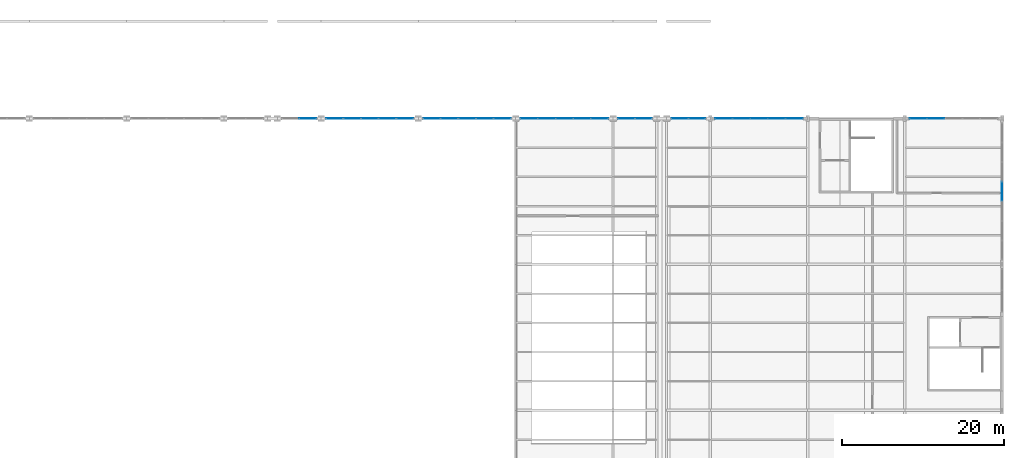
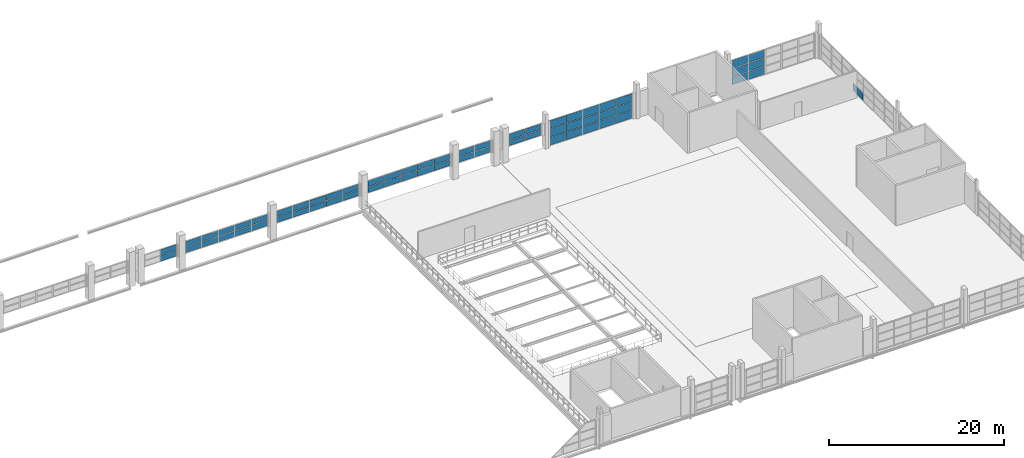
# One storey, part 75 of 86: 62 plates, 9 elements without a shape of their own.
"""IFC4 building model written with IfcOpenShell, lengths in metres."""

from ifc_helpers import new_model, si_unit, direction, frame, origin, origin_2d, place, context, subcontext, project, spatial, rectangle, extrude, material, layer, layer_set, type_object, element, aggregate, save


model = new_model("IFC4")

# Units and contexts
model_context = context("Model", 3, precision=1e-05, world=origin(), true_north=direction((0.0, 1.0)))
body_context = subcontext(model_context, "Body", "Model", "MODEL_VIEW")
ifc_project = project(units=[si_unit("LENGTHUNIT", "METRE"), si_unit("AREAUNIT", "SQUARE_METRE"), si_unit("VOLUMEUNIT", "CUBIC_METRE"), si_unit("PLANEANGLEUNIT", "RADIAN"), si_unit("MASSUNIT", "GRAM", prefix="KILO")], contexts=[model_context])

# Site, building, storey
site_placement = place(None, origin())
site = spatial("IfcSite", under=ifc_project, at=site_placement, CompositionType="ELEMENT")
building_placement = place(site_placement, origin())
building = spatial("IfcBuilding", under=site, at=building_placement, Name="Zilviju Railside Exhibition Hall", CompositionType="ELEMENT")
storey_placement = place(building_placement, frame((0.0, 0.0, 12.60009765625)))
storey = spatial("IfcBuildingStorey", under=building, at=storey_placement, Name="L04", CompositionType="ELEMENT", Elevation=12.60009765625)

# Curtain wall, plates
ifc_material_1 = material(Name="Thermally broken aluminium-steel triple-glazed curtain wall", Category="steel")
ifc_layer_1 = layer(ifc_material_1, 0.179931640625)
ifc_layer_set_1 = layer_set([ifc_layer_1], Name="Thermally broken aluminium-steel triple-glazed curtain wall")
curtain_wall_type_1 = type_object("IfcCurtainWallType", Name="CW-BAY-05", PredefinedType="USERDEFINED", material=ifc_layer_set_1)
curtain_wall_1_placement = place(storey_placement, origin())
curtain_wall_1 = element("IfcCurtainWall", 1, at=curtain_wall_1_placement, inside=storey, type_object=curtain_wall_type_1, Name="North Hall Clerestory Curtain Wall L04 (127..132)", ObjectType="GLAZED CURTAIN WALL", PredefinedType="USERDEFINED")
ifc_material_2 = material(Name="Laminated acoustic double-glazed porch unit", Category="glass")
ifc_layer_2 = layer(ifc_material_2, 0.031982421875)
ifc_layer_set_2 = layer_set([ifc_layer_2], Name="Laminated acoustic double-glazed porch unit")
plate_type_1 = type_object("IfcPlateType", Name="CWP-IGU-32", PredefinedType="CURTAIN_PANEL", material=ifc_layer_set_2)
plate_1_placement = place(storey_placement, frame((130.360107421875, 138.0, 1.85986328125), z_axis=(0.0, 0.0, 1.0), x_axis=(1.0, 0.0, 0.0)))
plate_1 = element("IfcPlate", 2, at=plate_1_placement, type_object=plate_type_1, Name="CW-05 panel 2.1", PredefinedType="CURTAIN_PANEL", context=body_context, shape_type="SweptSolid", body=[
    extrude(rectangle(XDim=2.06005859375, YDim=0.031982421875, at=origin_2d()), origin(), (0.0, 0.0, 1.0), 0.784912109375),
])
plate_2_placement = place(storey_placement, frame((130.360107421875, 138.0, 2.705078125), z_axis=(0.0, 0.0, 1.0), x_axis=(1.0, 0.0, 0.0)))
plate_2 = element("IfcPlate", 3, at=plate_2_placement, type_object=plate_type_1, Name="CW-05 panel 2.2", PredefinedType="CURTAIN_PANEL", context=body_context, shape_type="SweptSolid", body=[
    extrude(rectangle(XDim=2.06005859375, YDim=0.031982421875, at=origin_2d()), origin(), (0.0, 0.0, 1.0), 0.784912109375),
])
aggregate(curtain_wall_1, [plate_1, plate_2])

ifc_layer_3 = layer(ifc_material_1, 0.179931640625)
ifc_layer_set_3 = layer_set([ifc_layer_3], Name="Thermally broken aluminium-steel triple-glazed curtain wall")
curtain_wall_type_2 = type_object("IfcCurtainWallType", Name="CW-BAY-11", PredefinedType="USERDEFINED", material=ifc_layer_set_3)
curtain_wall_2_placement = place(storey_placement, origin())
curtain_wall_2 = element("IfcCurtainWall", 4, at=curtain_wall_2_placement, inside=storey, type_object=curtain_wall_type_2, Name="North Hall Clerestory Curtain Wall L04 (180..192)", ObjectType="GLAZED CURTAIN WALL", PredefinedType="USERDEFINED")
plate_3_placement = place(storey_placement, frame((181.655029296875, 138.0, 0.06005859375), z_axis=(0.0, 0.0, 1.0), x_axis=(1.0, 0.0, 0.0)))
plate_3 = element("IfcPlate", 5, at=plate_3_placement, type_object=plate_type_1, Name="CW-11 panel 1.1", PredefinedType="CURTAIN_PANEL", context=body_context, shape_type="SweptSolid", body=[
    extrude(rectangle(XDim=2.090087890625, YDim=0.031982421875, at=origin_2d()), origin(), (0.0, 0.0, 1.0), 1.093017578125),
])
plate_4_placement = place(storey_placement, frame((181.655029296875, 138.0, 1.212890625), z_axis=(0.0, 0.0, 1.0), x_axis=(1.0, 0.0, 0.0)))
plate_4 = element("IfcPlate", 6, at=plate_4_placement, type_object=plate_type_1, Name="CW-11 panel 1.2", PredefinedType="CURTAIN_PANEL", context=body_context, shape_type="SweptSolid", body=[
    extrude(rectangle(XDim=2.090087890625, YDim=0.031982421875, at=origin_2d()), origin(), (0.0, 0.0, 1.0), 1.1240234375),
])
plate_5_placement = place(storey_placement, frame((181.655029296875, 138.0, 2.39697265625), z_axis=(0.0, 0.0, 1.0), x_axis=(1.0, 0.0, 0.0)))
plate_5 = element("IfcPlate", 7, at=plate_5_placement, type_object=plate_type_1, Name="CW-11 panel 1.3", PredefinedType="CURTAIN_PANEL", context=body_context, shape_type="SweptSolid", body=[
    extrude(rectangle(XDim=2.090087890625, YDim=0.031982421875, at=origin_2d()), origin(), (0.0, 0.0, 1.0), 1.093017578125),
])
plate_6_placement = place(storey_placement, frame((183.820068359375, 138.0, 0.06005859375), z_axis=(0.0, 0.0, 1.0), x_axis=(1.0, 0.0, 0.0)))
plate_6 = element("IfcPlate", 8, at=plate_6_placement, type_object=plate_type_1, Name="CW-11 panel 2.1", PredefinedType="CURTAIN_PANEL", context=body_context, shape_type="SweptSolid", body=[
    extrude(rectangle(XDim=2.1201171875, YDim=0.031982421875, at=origin_2d()), origin(), (0.0, 0.0, 1.0), 1.093017578125),
])
plate_7_placement = place(storey_placement, frame((183.820068359375, 138.0, 1.212890625), z_axis=(0.0, 0.0, 1.0), x_axis=(1.0, 0.0, 0.0)))
plate_7 = element("IfcPlate", 9, at=plate_7_placement, type_object=plate_type_1, Name="CW-11 panel 2.2", PredefinedType="CURTAIN_PANEL", context=body_context, shape_type="SweptSolid", body=[
    extrude(rectangle(XDim=2.1201171875, YDim=0.031982421875, at=origin_2d()), origin(), (0.0, 0.0, 1.0), 1.1240234375),
])
plate_8_placement = place(storey_placement, frame((183.820068359375, 138.0, 2.39697265625), z_axis=(0.0, 0.0, 1.0), x_axis=(1.0, 0.0, 0.0)))
plate_8 = element("IfcPlate", 10, at=plate_8_placement, type_object=plate_type_1, Name="CW-11 panel 2.3", PredefinedType="CURTAIN_PANEL", context=body_context, shape_type="SweptSolid", body=[
    extrude(rectangle(XDim=2.1201171875, YDim=0.031982421875, at=origin_2d()), origin(), (0.0, 0.0, 1.0), 1.093017578125),
])
plate_9_placement = place(storey_placement, frame((186.0, 138.0, 0.06005859375), z_axis=(0.0, 0.0, 1.0), x_axis=(1.0, 0.0, 0.0)))
plate_9 = element("IfcPlate", 11, at=plate_9_placement, type_object=plate_type_1, Name="CW-11 panel 3.1", PredefinedType="CURTAIN_PANEL", context=body_context, shape_type="SweptSolid", body=[
    extrude(rectangle(XDim=2.1201171875, YDim=0.031982421875, at=origin_2d()), origin(), (0.0, 0.0, 1.0), 1.093017578125),
])
plate_10_placement = place(storey_placement, frame((186.0, 138.0, 1.212890625), z_axis=(0.0, 0.0, 1.0), x_axis=(1.0, 0.0, 0.0)))
plate_10 = element("IfcPlate", 12, at=plate_10_placement, type_object=plate_type_1, Name="CW-11 panel 3.2", PredefinedType="CURTAIN_PANEL", context=body_context, shape_type="SweptSolid", body=[
    extrude(rectangle(XDim=2.1201171875, YDim=0.031982421875, at=origin_2d()), origin(), (0.0, 0.0, 1.0), 1.1240234375),
])
plate_11_placement = place(storey_placement, frame((186.0, 138.0, 2.39697265625), z_axis=(0.0, 0.0, 1.0), x_axis=(1.0, 0.0, 0.0)))
plate_11 = element("IfcPlate", 13, at=plate_11_placement, type_object=plate_type_1, Name="CW-11 panel 3.3", PredefinedType="CURTAIN_PANEL", context=body_context, shape_type="SweptSolid", body=[
    extrude(rectangle(XDim=2.1201171875, YDim=0.031982421875, at=origin_2d()), origin(), (0.0, 0.0, 1.0), 1.093017578125),
])
plate_12_placement = place(storey_placement, frame((188.179931640625, 138.0, 0.06005859375), z_axis=(0.0, 0.0, 1.0), x_axis=(1.0, 0.0, 0.0)))
plate_12 = element("IfcPlate", 14, at=plate_12_placement, type_object=plate_type_1, Name="CW-11 panel 4.1", PredefinedType="CURTAIN_PANEL", context=body_context, shape_type="SweptSolid", body=[
    extrude(rectangle(XDim=2.1201171875, YDim=0.031982421875, at=origin_2d()), origin(), (0.0, 0.0, 1.0), 1.093017578125),
])
plate_13_placement = place(storey_placement, frame((188.179931640625, 138.0, 1.212890625), z_axis=(0.0, 0.0, 1.0), x_axis=(1.0, 0.0, 0.0)))
plate_13 = element("IfcPlate", 15, at=plate_13_placement, type_object=plate_type_1, Name="CW-11 panel 4.2", PredefinedType="CURTAIN_PANEL", context=body_context, shape_type="SweptSolid", body=[
    extrude(rectangle(XDim=2.1201171875, YDim=0.031982421875, at=origin_2d()), origin(), (0.0, 0.0, 1.0), 1.1240234375),
])
plate_14_placement = place(storey_placement, frame((188.179931640625, 138.0, 2.39697265625), z_axis=(0.0, 0.0, 1.0), x_axis=(1.0, 0.0, 0.0)))
plate_14 = element("IfcPlate", 16, at=plate_14_placement, type_object=plate_type_1, Name="CW-11 panel 4.3", PredefinedType="CURTAIN_PANEL", context=body_context, shape_type="SweptSolid", body=[
    extrude(rectangle(XDim=2.1201171875, YDim=0.031982421875, at=origin_2d()), origin(), (0.0, 0.0, 1.0), 1.093017578125),
])
plate_15_placement = place(storey_placement, frame((190.344970703125, 138.0, 0.06005859375), z_axis=(0.0, 0.0, 1.0), x_axis=(1.0, 0.0, 0.0)))
plate_15 = element("IfcPlate", 17, at=plate_15_placement, type_object=plate_type_1, Name="CW-11 panel 5.1", PredefinedType="CURTAIN_PANEL", context=body_context, shape_type="SweptSolid", body=[
    extrude(rectangle(XDim=2.090087890625, YDim=0.031982421875, at=origin_2d()), origin(), (0.0, 0.0, 1.0), 1.093017578125),
])
plate_16_placement = place(storey_placement, frame((190.344970703125, 138.0, 1.212890625), z_axis=(0.0, 0.0, 1.0), x_axis=(1.0, 0.0, 0.0)))
plate_16 = element("IfcPlate", 18, at=plate_16_placement, type_object=plate_type_1, Name="CW-11 panel 5.2", PredefinedType="CURTAIN_PANEL", context=body_context, shape_type="SweptSolid", body=[
    extrude(rectangle(XDim=2.090087890625, YDim=0.031982421875, at=origin_2d()), origin(), (0.0, 0.0, 1.0), 1.1240234375),
])
plate_17_placement = place(storey_placement, frame((190.344970703125, 138.0, 2.39697265625), z_axis=(0.0, 0.0, 1.0), x_axis=(1.0, 0.0, 0.0)))
plate_17 = element("IfcPlate", 19, at=plate_17_placement, type_object=plate_type_1, Name="CW-11 panel 5.3", PredefinedType="CURTAIN_PANEL", context=body_context, shape_type="SweptSolid", body=[
    extrude(rectangle(XDim=2.090087890625, YDim=0.031982421875, at=origin_2d()), origin(), (0.0, 0.0, 1.0), 1.093017578125),
])
aggregate(curtain_wall_2, [plate_3, plate_4, plate_5, plate_6, plate_7, plate_8, plate_9, plate_10, plate_11, plate_12, plate_13, plate_14, plate_15, plate_16, plate_17])

ifc_layer_4 = layer(ifc_material_1, 0.179931640625)
ifc_layer_set_4 = layer_set([ifc_layer_4], Name="Thermally broken aluminium-steel triple-glazed curtain wall")
curtain_wall_type_3 = type_object("IfcCurtainWallType", Name="CW-BAY-10", PredefinedType="USERDEFINED", material=ifc_layer_set_4)
curtain_wall_3_placement = place(storey_placement, origin())
curtain_wall_3 = element("IfcCurtainWall", 20, at=curtain_wall_3_placement, inside=storey, type_object=curtain_wall_type_3, Name="North Hall Clerestory Curtain Wall L04 (175..180)", ObjectType="GLAZED CURTAIN WALL", PredefinedType="USERDEFINED")
ifc_material_3 = material(Name="Triple-glazed solar-control glass unit", Category="glass")
ifc_layer_5 = layer(ifc_material_3, 0.0380859375)
ifc_layer_set_5 = layer_set([ifc_layer_5], Name="Triple-glazed solar-control glass unit")
plate_type_2 = type_object("IfcPlateType", Name="CWP-IGU-38", PredefinedType="CURTAIN_PANEL", material=ifc_layer_set_5)
plate_18_placement = place(storey_placement, frame((176.2412109375, 138.0, 1.86474609375), z_axis=(0.0, 0.0, 1.0), x_axis=(1.0, 0.0, 0.0)))
plate_18 = element("IfcPlate", 21, at=plate_18_placement, type_object=plate_type_2, Name="CW-10 panel 1.1", PredefinedType="CURTAIN_PANEL", context=body_context, shape_type="SweptSolid", body=[
    extrude(rectangle(XDim=2.052490234375, YDim=0.0380859375, at=origin_2d()), origin(), (0.0, 0.0, 1.0), 0.777587890625),
])
plate_19_placement = place(storey_placement, frame((176.2412109375, 138.0, 2.70751953125), z_axis=(0.0, 0.0, 1.0), x_axis=(1.0, 0.0, 0.0)))
plate_19 = element("IfcPlate", 22, at=plate_19_placement, type_object=plate_type_2, Name="CW-10 panel 1.2", PredefinedType="CURTAIN_PANEL", context=body_context, shape_type="SweptSolid", body=[
    extrude(rectangle(XDim=2.052490234375, YDim=0.0380859375, at=origin_2d()), origin(), (0.0, 0.0, 1.0), 0.777587890625),
])
plate_20_placement = place(storey_placement, frame((178.358642578125, 138.0, 1.86474609375), z_axis=(0.0, 0.0, 1.0), x_axis=(1.0, 0.0, 0.0)))
plate_20 = element("IfcPlate", 23, at=plate_20_placement, type_object=plate_type_2, Name="CW-10 panel 2.1", PredefinedType="CURTAIN_PANEL", context=body_context, shape_type="SweptSolid", body=[
    extrude(rectangle(XDim=2.052490234375, YDim=0.0380859375, at=origin_2d()), origin(), (0.0, 0.0, 1.0), 0.777587890625),
])
plate_21_placement = place(storey_placement, frame((178.358642578125, 138.0, 2.70751953125), z_axis=(0.0, 0.0, 1.0), x_axis=(1.0, 0.0, 0.0)))
plate_21 = element("IfcPlate", 24, at=plate_21_placement, type_object=plate_type_2, Name="CW-10 panel 2.2", PredefinedType="CURTAIN_PANEL", context=body_context, shape_type="SweptSolid", body=[
    extrude(rectangle(XDim=2.052490234375, YDim=0.0380859375, at=origin_2d()), origin(), (0.0, 0.0, 1.0), 0.777587890625),
])
aggregate(curtain_wall_3, [plate_18, plate_19, plate_20, plate_21])

ifc_layer_6 = layer(ifc_material_1, 0.179931640625)
ifc_layer_set_6 = layer_set([ifc_layer_6], Name="Thermally broken aluminium-steel triple-glazed curtain wall")
curtain_wall_type_4 = type_object("IfcCurtainWallType", Name="CW-BAY-08", PredefinedType="USERDEFINED", material=ifc_layer_set_6)
curtain_wall_4_placement = place(storey_placement, origin())
curtain_wall_4 = element("IfcCurtainWall", 25, at=curtain_wall_4_placement, inside=storey, type_object=curtain_wall_type_4, Name="North Hall Clerestory Curtain Wall L04 (156..168)", ObjectType="GLAZED CURTAIN WALL", PredefinedType="USERDEFINED")
ifc_material_4 = material(Name="Triple-glazed low-E argon insulating glass unit", Category="glass")
ifc_layer_7 = layer(ifc_material_4, 0.0439453125)
ifc_layer_set_7 = layer_set([ifc_layer_7], Name="Triple-glazed low-E argon insulating glass unit")
plate_type_3 = type_object("IfcPlateType", Name="CWP-IGU-44", PredefinedType="CURTAIN_PANEL", material=ifc_layer_set_7)
plate_22_placement = place(storey_placement, frame((157.65380859375, 138.0, 1.85498046875), z_axis=(0.0, 0.0, 1.0), x_axis=(1.0, 0.0, 0.0)))
plate_22 = element("IfcPlate", 26, at=plate_22_placement, type_object=plate_type_3, Name="CW-08 panel 1.1", PredefinedType="CURTAIN_PANEL", context=body_context, shape_type="SweptSolid", body=[
    extrude(rectangle(XDim=2.097412109375, YDim=0.0439453125, at=origin_2d()), origin(), (0.0, 0.0, 1.0), 0.79248046875),
])
plate_23_placement = place(storey_placement, frame((157.65380859375, 138.0, 2.702392578125), z_axis=(0.0, 0.0, 1.0), x_axis=(1.0, 0.0, 0.0)))
plate_23 = element("IfcPlate", 27, at=plate_23_placement, type_object=plate_type_3, Name="CW-08 panel 1.2", PredefinedType="CURTAIN_PANEL", context=body_context, shape_type="SweptSolid", body=[
    extrude(rectangle(XDim=2.097412109375, YDim=0.0439453125, at=origin_2d()), origin(), (0.0, 0.0, 1.0), 0.79248046875),
])
plate_24_placement = place(storey_placement, frame((159.820068359375, 138.0, 1.85498046875), z_axis=(0.0, 0.0, 1.0), x_axis=(1.0, 0.0, 0.0)))
plate_24 = element("IfcPlate", 28, at=plate_24_placement, type_object=plate_type_3, Name="CW-08 panel 2.1", PredefinedType="CURTAIN_PANEL", context=body_context, shape_type="SweptSolid", body=[
    extrude(rectangle(XDim=2.125, YDim=0.0439453125, at=origin_2d()), origin(), (0.0, 0.0, 1.0), 0.79248046875),
])
plate_25_placement = place(storey_placement, frame((159.820068359375, 138.0, 2.702392578125), z_axis=(0.0, 0.0, 1.0), x_axis=(1.0, 0.0, 0.0)))
plate_25 = element("IfcPlate", 29, at=plate_25_placement, type_object=plate_type_3, Name="CW-08 panel 2.2", PredefinedType="CURTAIN_PANEL", context=body_context, shape_type="SweptSolid", body=[
    extrude(rectangle(XDim=2.125, YDim=0.0439453125, at=origin_2d()), origin(), (0.0, 0.0, 1.0), 0.79248046875),
])
plate_26_placement = place(storey_placement, frame((162.0, 138.0, 1.85498046875), z_axis=(0.0, 0.0, 1.0), x_axis=(1.0, 0.0, 0.0)))
plate_26 = element("IfcPlate", 30, at=plate_26_placement, type_object=plate_type_3, Name="CW-08 panel 3.1", PredefinedType="CURTAIN_PANEL", context=body_context, shape_type="SweptSolid", body=[
    extrude(rectangle(XDim=2.125, YDim=0.0439453125, at=origin_2d()), origin(), (0.0, 0.0, 1.0), 0.79248046875),
])
plate_27_placement = place(storey_placement, frame((162.0, 138.0, 2.702392578125), z_axis=(0.0, 0.0, 1.0), x_axis=(1.0, 0.0, 0.0)))
plate_27 = element("IfcPlate", 31, at=plate_27_placement, type_object=plate_type_3, Name="CW-08 panel 3.2", PredefinedType="CURTAIN_PANEL", context=body_context, shape_type="SweptSolid", body=[
    extrude(rectangle(XDim=2.125, YDim=0.0439453125, at=origin_2d()), origin(), (0.0, 0.0, 1.0), 0.79248046875),
])
plate_28_placement = place(storey_placement, frame((164.179931640625, 138.0, 1.85498046875), z_axis=(0.0, 0.0, 1.0), x_axis=(1.0, 0.0, 0.0)))
plate_28 = element("IfcPlate", 32, at=plate_28_placement, type_object=plate_type_3, Name="CW-08 panel 4.1", PredefinedType="CURTAIN_PANEL", context=body_context, shape_type="SweptSolid", body=[
    extrude(rectangle(XDim=2.125, YDim=0.0439453125, at=origin_2d()), origin(), (0.0, 0.0, 1.0), 0.79248046875),
])
plate_29_placement = place(storey_placement, frame((164.179931640625, 138.0, 2.702392578125), z_axis=(0.0, 0.0, 1.0), x_axis=(1.0, 0.0, 0.0)))
plate_29 = element("IfcPlate", 33, at=plate_29_placement, type_object=plate_type_3, Name="CW-08 panel 4.2", PredefinedType="CURTAIN_PANEL", context=body_context, shape_type="SweptSolid", body=[
    extrude(rectangle(XDim=2.125, YDim=0.0439453125, at=origin_2d()), origin(), (0.0, 0.0, 1.0), 0.79248046875),
])
plate_30_placement = place(storey_placement, frame((166.34619140625, 138.0, 1.85498046875), z_axis=(0.0, 0.0, 1.0), x_axis=(1.0, 0.0, 0.0)))
plate_30 = element("IfcPlate", 34, at=plate_30_placement, type_object=plate_type_3, Name="CW-08 panel 5.1", PredefinedType="CURTAIN_PANEL", context=body_context, shape_type="SweptSolid", body=[
    extrude(rectangle(XDim=2.097412109375, YDim=0.0439453125, at=origin_2d()), origin(), (0.0, 0.0, 1.0), 0.79248046875),
])
plate_31_placement = place(storey_placement, frame((166.34619140625, 138.0, 2.702392578125), z_axis=(0.0, 0.0, 1.0), x_axis=(1.0, 0.0, 0.0)))
plate_31 = element("IfcPlate", 35, at=plate_31_placement, type_object=plate_type_3, Name="CW-08 panel 5.2", PredefinedType="CURTAIN_PANEL", context=body_context, shape_type="SweptSolid", body=[
    extrude(rectangle(XDim=2.097412109375, YDim=0.0439453125, at=origin_2d()), origin(), (0.0, 0.0, 1.0), 0.79248046875),
])
aggregate(curtain_wall_4, [plate_22, plate_23, plate_24, plate_25, plate_26, plate_27, plate_28, plate_29, plate_30, plate_31])

ifc_layer_8 = layer(ifc_material_1, 0.179931640625)
ifc_layer_set_8 = layer_set([ifc_layer_8], Name="Thermally broken aluminium-steel triple-glazed curtain wall")
curtain_wall_type_5 = type_object("IfcCurtainWallType", Name="CW-BAY-09", PredefinedType="USERDEFINED", material=ifc_layer_set_8)
curtain_wall_5_placement = place(storey_placement, origin())
curtain_wall_5 = element("IfcCurtainWall", 36, at=curtain_wall_5_placement, inside=storey, type_object=curtain_wall_type_5, Name="North Hall Clerestory Curtain Wall L04 (168..173)", ObjectType="GLAZED CURTAIN WALL", PredefinedType="USERDEFINED")
plate_32_placement = place(storey_placement, frame((169.642578125, 138.0, 1.869873046875), z_axis=(0.0, 0.0, 1.0), x_axis=(1.0, 0.0, 0.0)))
plate_32 = element("IfcPlate", 37, at=plate_32_placement, type_object=plate_type_3, Name="CW-09 panel 1.1", PredefinedType="CURTAIN_PANEL", context=body_context, shape_type="SweptSolid", body=[
    extrude(rectangle(XDim=2.044921875, YDim=0.0439453125, at=origin_2d()), origin(), (0.0, 0.0, 1.0), 0.77001953125),
])
plate_33_placement = place(storey_placement, frame((169.642578125, 138.0, 2.7099609375), z_axis=(0.0, 0.0, 1.0), x_axis=(1.0, 0.0, 0.0)))
plate_33 = element("IfcPlate", 38, at=plate_33_placement, type_object=plate_type_3, Name="CW-09 panel 1.2", PredefinedType="CURTAIN_PANEL", context=body_context, shape_type="SweptSolid", body=[
    extrude(rectangle(XDim=2.044921875, YDim=0.0439453125, at=origin_2d()), origin(), (0.0, 0.0, 1.0), 0.77001953125),
])
plate_34_placement = place(storey_placement, frame((171.757568359375, 138.0, 1.869873046875), z_axis=(0.0, 0.0, 1.0), x_axis=(1.0, 0.0, 0.0)))
plate_34 = element("IfcPlate", 39, at=plate_34_placement, type_object=plate_type_3, Name="CW-09 panel 2.1", PredefinedType="CURTAIN_PANEL", context=body_context, shape_type="SweptSolid", body=[
    extrude(rectangle(XDim=2.044921875, YDim=0.0439453125, at=origin_2d()), origin(), (0.0, 0.0, 1.0), 0.77001953125),
])
plate_35_placement = place(storey_placement, frame((171.757568359375, 138.0, 2.7099609375), z_axis=(0.0, 0.0, 1.0), x_axis=(1.0, 0.0, 0.0)))
plate_35 = element("IfcPlate", 40, at=plate_35_placement, type_object=plate_type_3, Name="CW-09 panel 2.2", PredefinedType="CURTAIN_PANEL", context=body_context, shape_type="SweptSolid", body=[
    extrude(rectangle(XDim=2.044921875, YDim=0.0439453125, at=origin_2d()), origin(), (0.0, 0.0, 1.0), 0.77001953125),
])
aggregate(curtain_wall_5, [plate_32, plate_33, plate_34, plate_35])

# Curtain wall, plate
ifc_layer_9 = layer(ifc_material_1, 0.179931640625)
ifc_layer_set_9 = layer_set([ifc_layer_9], Name="Thermally broken aluminium-steel triple-glazed curtain wall")
curtain_wall_type_6 = type_object("IfcCurtainWallType", Name="CW-BAY-15", PredefinedType="USERDEFINED", material=ifc_layer_set_9)
curtain_wall_6_placement = place(storey_placement, origin())
curtain_wall_6 = element("IfcCurtainWall", 41, at=curtain_wall_6_placement, inside=storey, type_object=curtain_wall_type_6, Name="North Hall East Glazed Gable L04 (120..138)", ObjectType="GLAZED CURTAIN WALL", PredefinedType="USERDEFINED")
plate_36_placement = place(storey_placement, frame((216.0, 129.0, 0.06982421875), z_axis=(0.0, 0.0, 1.0), x_axis=(0.0, -1.0, 0.0)))
plate_36 = element("IfcPlate", 42, at=plate_36_placement, type_object=plate_type_3, Name="CW-15 panel 4.1", PredefinedType="CURTAIN_PANEL", context=body_context, shape_type="SweptSolid", body=[
    extrude(rectangle(XDim=2.34423828125, YDim=0.0439453125, at=origin_2d()), origin(), (0.0, 0.0, 1.0), 1.011962890625),
])
aggregate(curtain_wall_6, [plate_36])

# Curtain wall, plates
ifc_layer_10 = layer(ifc_material_1, 0.179931640625)
ifc_layer_set_10 = layer_set([ifc_layer_10], Name="Thermally broken aluminium-steel triple-glazed curtain wall")
curtain_wall_type_7 = type_object("IfcCurtainWallType", Name="CW-BAY-06", PredefinedType="USERDEFINED", material=ifc_layer_set_10)
curtain_wall_7_placement = place(storey_placement, origin())
curtain_wall_7 = element("IfcCurtainWall", 43, at=curtain_wall_7_placement, inside=storey, type_object=curtain_wall_type_7, Name="North Hall Clerestory Curtain Wall L04 (132..144)", ObjectType="GLAZED CURTAIN WALL", PredefinedType="USERDEFINED")
ifc_material_5 = material(Name="Insulated cobalt-blue enamelled spandrel glass panel", Category="glass")
ifc_layer_11 = layer(ifc_material_5, 0.052001953125)
ifc_layer_set_11 = layer_set([ifc_layer_11], Name="Insulated cobalt-blue enamelled spandrel glass panel")
plate_type_4 = type_object("IfcPlateType", Name="CWP-SPD-52", PredefinedType="CURTAIN_PANEL", material=ifc_layer_set_11)
plate_37_placement = place(storey_placement, frame((133.659912109375, 138.0, 1.8798828125), z_axis=(0.0, 0.0, 1.0), x_axis=(1.0, 0.0, 0.0)))
plate_37 = element("IfcPlate", 44, at=plate_37_placement, type_object=plate_type_4, Name="CW-06 panel 1.1", PredefinedType="CURTAIN_PANEL", context=body_context, shape_type="SweptSolid", body=[
    extrude(rectangle(XDim=2.06005859375, YDim=0.052001953125, at=origin_2d()), origin(), (0.0, 0.0, 1.0), 0.7548828125),
])
plate_38_placement = place(storey_placement, frame((133.659912109375, 138.0, 2.71484375), z_axis=(0.0, 0.0, 1.0), x_axis=(1.0, 0.0, 0.0)))
plate_38 = element("IfcPlate", 45, at=plate_38_placement, type_object=plate_type_4, Name="CW-06 panel 1.2", PredefinedType="CURTAIN_PANEL", context=body_context, shape_type="SweptSolid", body=[
    extrude(rectangle(XDim=2.06005859375, YDim=0.052001953125, at=origin_2d()), origin(), (0.0, 0.0, 1.0), 0.7548828125),
])
plate_39_placement = place(storey_placement, frame((135.820068359375, 138.0, 1.8798828125), z_axis=(0.0, 0.0, 1.0), x_axis=(1.0, 0.0, 0.0)))
plate_39 = element("IfcPlate", 46, at=plate_39_placement, type_object=plate_type_4, Name="CW-06 panel 2.1", PredefinedType="CURTAIN_PANEL", context=body_context, shape_type="SweptSolid", body=[
    extrude(rectangle(XDim=2.10009765625, YDim=0.052001953125, at=origin_2d()), origin(), (0.0, 0.0, 1.0), 0.7548828125),
])
plate_40_placement = place(storey_placement, frame((135.820068359375, 138.0, 2.71484375), z_axis=(0.0, 0.0, 1.0), x_axis=(1.0, 0.0, 0.0)))
plate_40 = element("IfcPlate", 47, at=plate_40_placement, type_object=plate_type_4, Name="CW-06 panel 2.2", PredefinedType="CURTAIN_PANEL", context=body_context, shape_type="SweptSolid", body=[
    extrude(rectangle(XDim=2.10009765625, YDim=0.052001953125, at=origin_2d()), origin(), (0.0, 0.0, 1.0), 0.7548828125),
])
plate_41_placement = place(storey_placement, frame((138.0, 138.0, 1.8798828125), z_axis=(0.0, 0.0, 1.0), x_axis=(1.0, 0.0, 0.0)))
plate_41 = element("IfcPlate", 48, at=plate_41_placement, type_object=plate_type_4, Name="CW-06 panel 3.1", PredefinedType="CURTAIN_PANEL", context=body_context, shape_type="SweptSolid", body=[
    extrude(rectangle(XDim=2.10009765625, YDim=0.052001953125, at=origin_2d()), origin(), (0.0, 0.0, 1.0), 0.7548828125),
])
plate_42_placement = place(storey_placement, frame((138.0, 138.0, 2.71484375), z_axis=(0.0, 0.0, 1.0), x_axis=(1.0, 0.0, 0.0)))
plate_42 = element("IfcPlate", 49, at=plate_42_placement, type_object=plate_type_4, Name="CW-06 panel 3.2", PredefinedType="CURTAIN_PANEL", context=body_context, shape_type="SweptSolid", body=[
    extrude(rectangle(XDim=2.10009765625, YDim=0.052001953125, at=origin_2d()), origin(), (0.0, 0.0, 1.0), 0.7548828125),
])
plate_43_placement = place(storey_placement, frame((140.179931640625, 138.0, 1.8798828125), z_axis=(0.0, 0.0, 1.0), x_axis=(1.0, 0.0, 0.0)))
plate_43 = element("IfcPlate", 50, at=plate_43_placement, type_object=plate_type_4, Name="CW-06 panel 4.1", PredefinedType="CURTAIN_PANEL", context=body_context, shape_type="SweptSolid", body=[
    extrude(rectangle(XDim=2.10009765625, YDim=0.052001953125, at=origin_2d()), origin(), (0.0, 0.0, 1.0), 0.7548828125),
])
plate_44_placement = place(storey_placement, frame((140.179931640625, 138.0, 2.71484375), z_axis=(0.0, 0.0, 1.0), x_axis=(1.0, 0.0, 0.0)))
plate_44 = element("IfcPlate", 51, at=plate_44_placement, type_object=plate_type_4, Name="CW-06 panel 4.2", PredefinedType="CURTAIN_PANEL", context=body_context, shape_type="SweptSolid", body=[
    extrude(rectangle(XDim=2.10009765625, YDim=0.052001953125, at=origin_2d()), origin(), (0.0, 0.0, 1.0), 0.7548828125),
])
plate_45_placement = place(storey_placement, frame((142.340087890625, 138.0, 1.8798828125), z_axis=(0.0, 0.0, 1.0), x_axis=(1.0, 0.0, 0.0)))
plate_45 = element("IfcPlate", 52, at=plate_45_placement, type_object=plate_type_4, Name="CW-06 panel 5.1", PredefinedType="CURTAIN_PANEL", context=body_context, shape_type="SweptSolid", body=[
    extrude(rectangle(XDim=2.06005859375, YDim=0.052001953125, at=origin_2d()), origin(), (0.0, 0.0, 1.0), 0.7548828125),
])
plate_46_placement = place(storey_placement, frame((142.340087890625, 138.0, 2.71484375), z_axis=(0.0, 0.0, 1.0), x_axis=(1.0, 0.0, 0.0)))
plate_46 = element("IfcPlate", 53, at=plate_46_placement, type_object=plate_type_4, Name="CW-06 panel 5.2", PredefinedType="CURTAIN_PANEL", context=body_context, shape_type="SweptSolid", body=[
    extrude(rectangle(XDim=2.06005859375, YDim=0.052001953125, at=origin_2d()), origin(), (0.0, 0.0, 1.0), 0.7548828125),
])
aggregate(curtain_wall_7, [plate_37, plate_38, plate_39, plate_40, plate_41, plate_42, plate_43, plate_44, plate_45, plate_46])

ifc_layer_12 = layer(ifc_material_1, 0.179931640625)
ifc_layer_set_12 = layer_set([ifc_layer_12], Name="Thermally broken aluminium-steel triple-glazed curtain wall")
curtain_wall_type_8 = type_object("IfcCurtainWallType", Name="CW-BAY-12", PredefinedType="USERDEFINED", material=ifc_layer_set_12)
curtain_wall_8_placement = place(storey_placement, origin())
curtain_wall_8 = element("IfcCurtainWall", 54, at=curtain_wall_8_placement, inside=storey, type_object=curtain_wall_type_8, Name="North Hall Clerestory Curtain Wall L04 (204..216)", ObjectType="GLAZED CURTAIN WALL", PredefinedType="USERDEFINED")
plate_47_placement = place(storey_placement, frame((205.659912109375, 138.0, 0.079833984375), z_axis=(0.0, 0.0, 1.0), x_axis=(1.0, 0.0, 0.0)))
plate_47 = element("IfcPlate", 55, at=plate_47_placement, type_object=plate_type_4, Name="CW-12 panel 1.1", PredefinedType="CURTAIN_PANEL", context=body_context, shape_type="SweptSolid", body=[
    extrude(rectangle(XDim=2.06005859375, YDim=0.052001953125, at=origin_2d()), origin(), (0.0, 0.0, 1.0), 1.06298828125),
])
plate_48_placement = place(storey_placement, frame((205.659912109375, 138.0, 1.222900390625), z_axis=(0.0, 0.0, 1.0), x_axis=(1.0, 0.0, 0.0)))
plate_48 = element("IfcPlate", 56, at=plate_48_placement, type_object=plate_type_4, Name="CW-12 panel 1.2", PredefinedType="CURTAIN_PANEL", context=body_context, shape_type="SweptSolid", body=[
    extrude(rectangle(XDim=2.06005859375, YDim=0.052001953125, at=origin_2d()), origin(), (0.0, 0.0, 1.0), 1.10400390625),
])
plate_49_placement = place(storey_placement, frame((205.659912109375, 138.0, 2.406982421875), z_axis=(0.0, 0.0, 1.0), x_axis=(1.0, 0.0, 0.0)))
plate_49 = element("IfcPlate", 57, at=plate_49_placement, type_object=plate_type_4, Name="CW-12 panel 1.3", PredefinedType="CURTAIN_PANEL", context=body_context, shape_type="SweptSolid", body=[
    extrude(rectangle(XDim=2.06005859375, YDim=0.052001953125, at=origin_2d()), origin(), (0.0, 0.0, 1.0), 1.06298828125),
])
plate_50_placement = place(storey_placement, frame((207.820068359375, 138.0, 0.079833984375), z_axis=(0.0, 0.0, 1.0), x_axis=(1.0, 0.0, 0.0)))
plate_50 = element("IfcPlate", 58, at=plate_50_placement, type_object=plate_type_4, Name="CW-12 panel 2.1", PredefinedType="CURTAIN_PANEL", context=body_context, shape_type="SweptSolid", body=[
    extrude(rectangle(XDim=2.10009765625, YDim=0.052001953125, at=origin_2d()), origin(), (0.0, 0.0, 1.0), 1.06298828125),
])
plate_51_placement = place(storey_placement, frame((207.820068359375, 138.0, 1.222900390625), z_axis=(0.0, 0.0, 1.0), x_axis=(1.0, 0.0, 0.0)))
plate_51 = element("IfcPlate", 59, at=plate_51_placement, type_object=plate_type_4, Name="CW-12 panel 2.2", PredefinedType="CURTAIN_PANEL", context=body_context, shape_type="SweptSolid", body=[
    extrude(rectangle(XDim=2.10009765625, YDim=0.052001953125, at=origin_2d()), origin(), (0.0, 0.0, 1.0), 1.10400390625),
])
plate_52_placement = place(storey_placement, frame((207.820068359375, 138.0, 2.406982421875), z_axis=(0.0, 0.0, 1.0), x_axis=(1.0, 0.0, 0.0)))
plate_52 = element("IfcPlate", 60, at=plate_52_placement, type_object=plate_type_4, Name="CW-12 panel 2.3", PredefinedType="CURTAIN_PANEL", context=body_context, shape_type="SweptSolid", body=[
    extrude(rectangle(XDim=2.10009765625, YDim=0.052001953125, at=origin_2d()), origin(), (0.0, 0.0, 1.0), 1.06298828125),
])
aggregate(curtain_wall_8, [plate_47, plate_48, plate_49, plate_50, plate_51, plate_52])

ifc_layer_13 = layer(ifc_material_1, 0.179931640625)
ifc_layer_set_13 = layer_set([ifc_layer_13], Name="Thermally broken aluminium-steel triple-glazed curtain wall")
curtain_wall_type_9 = type_object("IfcCurtainWallType", Name="CW-BAY-07", PredefinedType="USERDEFINED", material=ifc_layer_set_13)
curtain_wall_9_placement = place(storey_placement, origin())
curtain_wall_9 = element("IfcCurtainWall", 61, at=curtain_wall_9_placement, inside=storey, type_object=curtain_wall_type_9, Name="North Hall Clerestory Curtain Wall L04 (144..156)", ObjectType="GLAZED CURTAIN WALL", PredefinedType="USERDEFINED")
ifc_material_6 = material(Name="Insulated emerald ceramic-frit spandrel panel", Category="glass")
ifc_layer_14 = layer(ifc_material_6, 0.06396484375)
ifc_layer_set_14 = layer_set([ifc_layer_14], Name="Insulated emerald ceramic-frit spandrel panel")
plate_type_5 = type_object("IfcPlateType", Name="CWP-SPD-64", PredefinedType="CURTAIN_PANEL", material=ifc_layer_set_14)
plate_53_placement = place(storey_placement, frame((145.65869140625, 138.0, 1.875), z_axis=(0.0, 0.0, 1.0), x_axis=(1.0, 0.0, 0.0)))
plate_53 = element("IfcPlate", 62, at=plate_53_placement, type_object=plate_type_5, Name="CW-07 panel 1.1", PredefinedType="CURTAIN_PANEL", context=body_context, shape_type="SweptSolid", body=[
    extrude(rectangle(XDim=2.0673828125, YDim=0.06396484375, at=origin_2d()), origin(), (0.0, 0.0, 1.0), 0.762451171875),
])
plate_54_placement = place(storey_placement, frame((145.65869140625, 138.0, 2.71240234375), z_axis=(0.0, 0.0, 1.0), x_axis=(1.0, 0.0, 0.0)))
plate_54 = element("IfcPlate", 63, at=plate_54_placement, type_object=plate_type_5, Name="CW-07 panel 1.2", PredefinedType="CURTAIN_PANEL", context=body_context, shape_type="SweptSolid", body=[
    extrude(rectangle(XDim=2.0673828125, YDim=0.06396484375, at=origin_2d()), origin(), (0.0, 0.0, 1.0), 0.762451171875),
])
plate_55_placement = place(storey_placement, frame((147.820068359375, 138.0, 1.875), z_axis=(0.0, 0.0, 1.0), x_axis=(1.0, 0.0, 0.0)))
plate_55 = element("IfcPlate", 64, at=plate_55_placement, type_object=plate_type_5, Name="CW-07 panel 2.1", PredefinedType="CURTAIN_PANEL", context=body_context, shape_type="SweptSolid", body=[
    extrude(rectangle(XDim=2.10498046875, YDim=0.06396484375, at=origin_2d()), origin(), (0.0, 0.0, 1.0), 0.762451171875),
])
plate_56_placement = place(storey_placement, frame((147.820068359375, 138.0, 2.71240234375), z_axis=(0.0, 0.0, 1.0), x_axis=(1.0, 0.0, 0.0)))
plate_56 = element("IfcPlate", 65, at=plate_56_placement, type_object=plate_type_5, Name="CW-07 panel 2.2", PredefinedType="CURTAIN_PANEL", context=body_context, shape_type="SweptSolid", body=[
    extrude(rectangle(XDim=2.10498046875, YDim=0.06396484375, at=origin_2d()), origin(), (0.0, 0.0, 1.0), 0.762451171875),
])
plate_57_placement = place(storey_placement, frame((150.0, 138.0, 1.875), z_axis=(0.0, 0.0, 1.0), x_axis=(1.0, 0.0, 0.0)))
plate_57 = element("IfcPlate", 66, at=plate_57_placement, type_object=plate_type_5, Name="CW-07 panel 3.1", PredefinedType="CURTAIN_PANEL", context=body_context, shape_type="SweptSolid", body=[
    extrude(rectangle(XDim=2.10498046875, YDim=0.06396484375, at=origin_2d()), origin(), (0.0, 0.0, 1.0), 0.762451171875),
])
plate_58_placement = place(storey_placement, frame((150.0, 138.0, 2.71240234375), z_axis=(0.0, 0.0, 1.0), x_axis=(1.0, 0.0, 0.0)))
plate_58 = element("IfcPlate", 67, at=plate_58_placement, type_object=plate_type_5, Name="CW-07 panel 3.2", PredefinedType="CURTAIN_PANEL", context=body_context, shape_type="SweptSolid", body=[
    extrude(rectangle(XDim=2.10498046875, YDim=0.06396484375, at=origin_2d()), origin(), (0.0, 0.0, 1.0), 0.762451171875),
])
plate_59_placement = place(storey_placement, frame((152.179931640625, 138.0, 1.875), z_axis=(0.0, 0.0, 1.0), x_axis=(1.0, 0.0, 0.0)))
plate_59 = element("IfcPlate", 68, at=plate_59_placement, type_object=plate_type_5, Name="CW-07 panel 4.1", PredefinedType="CURTAIN_PANEL", context=body_context, shape_type="SweptSolid", body=[
    extrude(rectangle(XDim=2.10498046875, YDim=0.06396484375, at=origin_2d()), origin(), (0.0, 0.0, 1.0), 0.762451171875),
])
plate_60_placement = place(storey_placement, frame((152.179931640625, 138.0, 2.71240234375), z_axis=(0.0, 0.0, 1.0), x_axis=(1.0, 0.0, 0.0)))
plate_60 = element("IfcPlate", 69, at=plate_60_placement, type_object=plate_type_5, Name="CW-07 panel 4.2", PredefinedType="CURTAIN_PANEL", context=body_context, shape_type="SweptSolid", body=[
    extrude(rectangle(XDim=2.10498046875, YDim=0.06396484375, at=origin_2d()), origin(), (0.0, 0.0, 1.0), 0.762451171875),
])
plate_61_placement = place(storey_placement, frame((154.34130859375, 138.0, 1.875), z_axis=(0.0, 0.0, 1.0), x_axis=(1.0, 0.0, 0.0)))
plate_61 = element("IfcPlate", 70, at=plate_61_placement, type_object=plate_type_5, Name="CW-07 panel 5.1", PredefinedType="CURTAIN_PANEL", context=body_context, shape_type="SweptSolid", body=[
    extrude(rectangle(XDim=2.0673828125, YDim=0.06396484375, at=origin_2d()), origin(), (0.0, 0.0, 1.0), 0.762451171875),
])
plate_62_placement = place(storey_placement, frame((154.34130859375, 138.0, 2.71240234375), z_axis=(0.0, 0.0, 1.0), x_axis=(1.0, 0.0, 0.0)))
plate_62 = element("IfcPlate", 71, at=plate_62_placement, type_object=plate_type_5, Name="CW-07 panel 5.2", PredefinedType="CURTAIN_PANEL", context=body_context, shape_type="SweptSolid", body=[
    extrude(rectangle(XDim=2.0673828125, YDim=0.06396484375, at=origin_2d()), origin(), (0.0, 0.0, 1.0), 0.762451171875),
])
aggregate(curtain_wall_9, [plate_53, plate_54, plate_55, plate_56, plate_57, plate_58, plate_59, plate_60, plate_61, plate_62])

save(model, "model.ifc")
